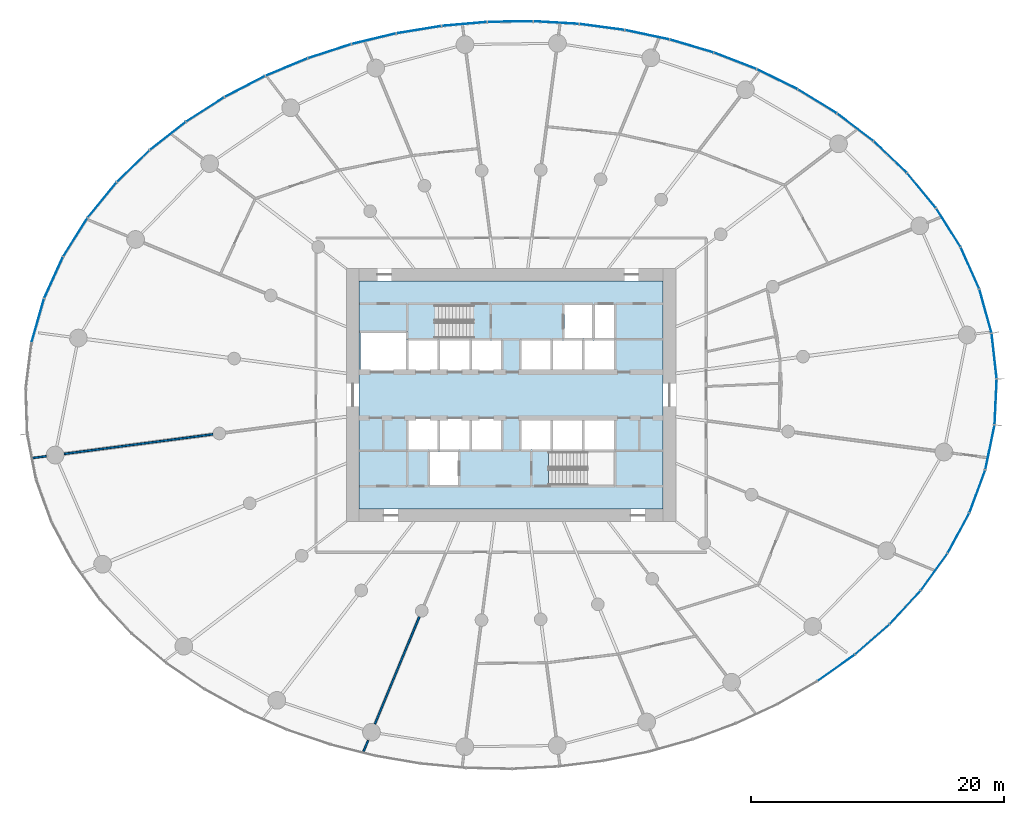
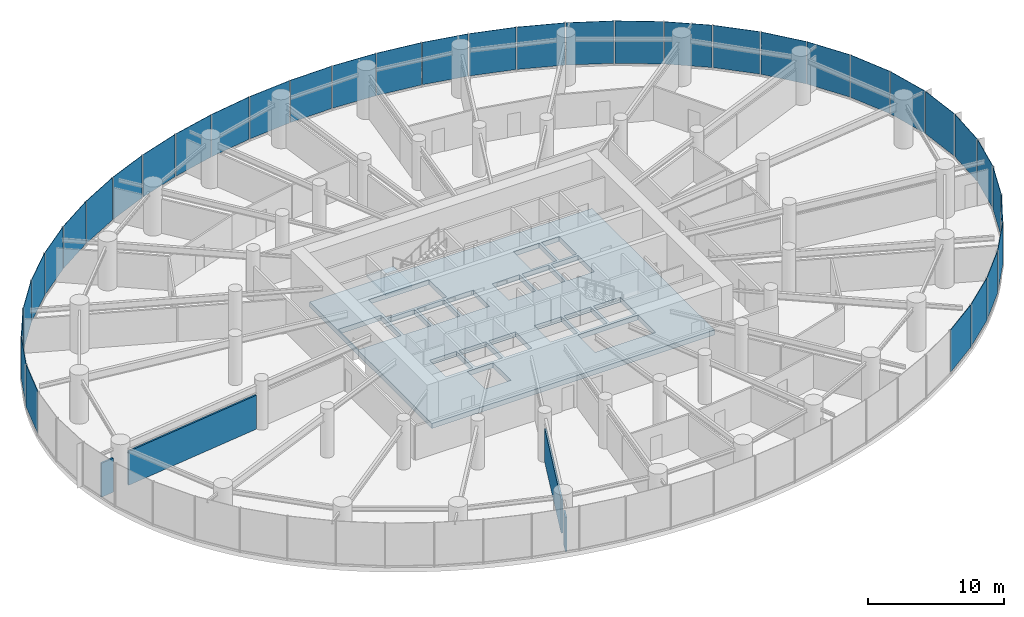
# One storey, part 11 of 19: 36 plates, 4 walls, 2 slabs, 8 elements without a shape of their own.
"""IFC4 building model written with IfcOpenShell, lengths in metres."""

from ifc_helpers import new_model, si_unit, direction, frame, frame_2d, origin, origin_2d, place, context, subcontext, project, spatial, line, indexed_curve, rectangle, outline, extrude, source, transform, mapped, material, layer, layer_set, type_object, element, aggregate, save


model = new_model("IFC4")

# Units and contexts
model_context = context("Model", 3, precision=1e-05, world=origin(), true_north=direction((0.0, 1.0)))
body_context = subcontext(model_context, "Body", "Model", "MODEL_VIEW")
ifc_project = project(units=[si_unit("LENGTHUNIT", "METRE"), si_unit("AREAUNIT", "SQUARE_METRE"), si_unit("VOLUMEUNIT", "CUBIC_METRE"), si_unit("PLANEANGLEUNIT", "RADIAN"), si_unit("MASSUNIT", "GRAM", prefix="KILO")], contexts=[model_context])

# Site, building, storey
site_placement = place(None, origin())
site = spatial("IfcSite", under=ifc_project, at=site_placement, CompositionType="ELEMENT")
building_placement = place(site_placement, origin())
building = spatial("IfcBuilding", under=site, at=building_placement, Name="Spindrift Exchange Tower", CompositionType="ELEMENT")
storey_placement = place(building_placement, frame((0.0, 0.0, 27.0)))
storey = spatial("IfcBuildingStorey", under=building, at=storey_placement, Name="L06", CompositionType="ELEMENT", Elevation=27.0)

# Slab
ifc_material_1 = material(Name="Concrete 50 MPa", Category="concrete")
ifc_layer_1 = layer(ifc_material_1, 0.449951171875)
ifc_layer_set_1 = layer_set([ifc_layer_1], Name="SL-CORE-FLOOR-450")
slab_type_1 = type_object("IfcSlabType", Name="SL-CORE-FLOOR-450", PredefinedType="FLOOR", material=ifc_layer_set_1)
slab_1_placement = place(storey_placement, frame((0.0, 0.0, -0.449951171875)))
element("IfcSlab", 1, at=slab_1_placement, inside=storey, type_object=slab_type_1, Name="L06 Core floor slab", PredefinedType="FLOOR", context=body_context, shape_type="SweptSolid", body=[
    extrude(outline(indexed_curve([(40.0, 39.0), (40.0, 57.0), (64.0, 57.0), (64.0, 39.0)], segments=[line(1, 2, 3, 4, 1)], self_intersect=False), holes=[indexed_curve([(47.800048828125, 43.5), (45.60009765625, 43.5), (45.60009765625, 40.89990234375), (47.800048828125, 40.89990234375)], segments=[line(1, 2, 3, 4, 1)], self_intersect=False), indexed_curve([(46.199951171875, 46.10009765625), (43.89990234375, 46.10009765625), (43.89990234375, 43.699951171875), (46.199951171875, 43.699951171875)], segments=[line(1, 2, 3, 4, 1)], self_intersect=False), indexed_curve([(48.699951171875, 46.10009765625), (46.39990234375, 46.10009765625), (46.39990234375, 43.699951171875), (48.699951171875, 43.699951171875)], segments=[line(1, 2, 3, 4, 1)], self_intersect=False), indexed_curve([(51.199951171875, 46.10009765625), (48.89990234375, 46.10009765625), (48.89990234375, 43.699951171875), (51.199951171875, 43.699951171875)], segments=[line(1, 2, 3, 4, 1)], self_intersect=False), indexed_curve([(46.199951171875, 52.300048828125), (43.89990234375, 52.300048828125), (43.89990234375, 49.89990234375), (46.199951171875, 49.89990234375)], segments=[line(1, 2, 3, 4, 1)], self_intersect=False), indexed_curve([(48.699951171875, 52.300048828125), (46.39990234375, 52.300048828125), (46.39990234375, 49.89990234375), (48.699951171875, 49.89990234375)], segments=[line(1, 2, 3, 4, 1)], self_intersect=False), indexed_curve([(51.199951171875, 52.300048828125), (48.89990234375, 52.300048828125), (48.89990234375, 49.89990234375), (51.199951171875, 49.89990234375)], segments=[line(1, 2, 3, 4, 1)], self_intersect=False), indexed_curve([(43.699951171875, 49.89990234375), (43.699951171875, 52.89990234375), (40.10009765625, 52.89990234375), (40.10009765625, 49.89990234375)], segments=[line(1, 2, 3, 4, 1)], self_intersect=False), indexed_curve([(49.0439453125, 55.093994140625), (43.906005859375, 55.093994140625), (43.906005859375, 52.506103515625), (49.0439453125, 52.506103515625)], segments=[line(1, 2, 3, 4, 1)], self_intersect=False), indexed_curve([(60.093994140625, 40.906005859375), (60.093994140625, 43.493896484375), (54.9560546875, 43.493896484375), (54.9560546875, 40.906005859375)], segments=[line(1, 2, 3, 4, 1)], self_intersect=False), indexed_curve([(55.10009765625, 46.10009765625), (52.800048828125, 46.10009765625), (52.800048828125, 43.699951171875), (55.10009765625, 43.699951171875)], segments=[line(1, 2, 3, 4, 1)], self_intersect=False), indexed_curve([(57.60009765625, 46.10009765625), (55.300048828125, 46.10009765625), (55.300048828125, 43.699951171875), (57.60009765625, 43.699951171875)], segments=[line(1, 2, 3, 4, 1)], self_intersect=False), indexed_curve([(60.10009765625, 46.10009765625), (57.800048828125, 46.10009765625), (57.800048828125, 43.699951171875), (60.10009765625, 43.699951171875)], segments=[line(1, 2, 3, 4, 1)], self_intersect=False), indexed_curve([(55.10009765625, 52.300048828125), (52.800048828125, 52.300048828125), (52.800048828125, 49.89990234375), (55.10009765625, 49.89990234375)], segments=[line(1, 2, 3, 4, 1)], self_intersect=False), indexed_curve([(57.60009765625, 52.300048828125), (55.300048828125, 52.300048828125), (55.300048828125, 49.89990234375), (57.60009765625, 49.89990234375)], segments=[line(1, 2, 3, 4, 1)], self_intersect=False), indexed_curve([(60.10009765625, 52.300048828125), (57.800048828125, 52.300048828125), (57.800048828125, 49.89990234375), (60.10009765625, 49.89990234375)], segments=[line(1, 2, 3, 4, 1)], self_intersect=False), indexed_curve([(58.39990234375, 52.5), (58.39990234375, 55.10009765625), (56.199951171875, 55.10009765625), (56.199951171875, 52.5)], segments=[line(1, 2, 3, 4, 1)], self_intersect=False), indexed_curve([(60.10009765625, 52.5), (60.10009765625, 55.10009765625), (58.60009765625, 55.10009765625), (58.60009765625, 52.5)], segments=[line(1, 2, 3, 4, 1)], self_intersect=False)]), origin(), (0.0, 0.0, 1.0), 0.449951171875),
])

# Stair, slab
stair_type = type_object("IfcStairType", Name="ST-1250-R183", PredefinedType="HALF_TURN_STAIR", material=ifc_material_1)
stair_placement = place(storey_placement, origin())
stair = element("IfcStair", 2, at=stair_placement, inside=storey, type_object=stair_type, Name="L06 Exit stair ST1", PredefinedType="HALF_TURN_STAIR")
ifc_layer_2 = layer(ifc_material_1, 0.199951171875)
ifc_layer_set_2 = layer_set([ifc_layer_2], Name="SL-LANDING")
slab_type_2 = type_object("IfcSlabType", Name="SL-LANDING", PredefinedType="LANDING", material=ifc_layer_set_2)
slab_2_placement = place(storey_placement, frame((0.0, 0.0, 2.0)))
slab_2 = element("IfcSlab", 3, at=slab_2_placement, type_object=slab_type_2, Name="ST1 landing 1", PredefinedType="LANDING", context=body_context, shape_type="SweptSolid", body=[
    extrude(outline(indexed_curve([(46.050048828125, 52.39990234375), (43.800048828125, 52.39990234375), (43.800048828125, 55.199951171875), (46.050048828125, 55.199951171875)], segments=[line(1, 2, 3, 4, 1)], self_intersect=False)), origin(), (0.0, 0.0, 1.0), 0.199951171875),
])
aggregate(stair, [slab_2])

# Curtain wall, plates
ifc_material_2 = material(Name="Fritted laminated glass with bronze frame", Category="glass")
ifc_layer_3 = layer(ifc_material_2, 0.199951171875)
ifc_layer_set_3 = layer_set([ifc_layer_3], Name="ZONE 1 BRONZE FRITTED WALL")
curtain_wall_type = type_object("IfcCurtainWallType", Name="ZONE 1 BRONZE FRITTED WALL", PredefinedType="NOTDEFINED", material=ifc_layer_set_3)
curtain_wall_1_placement = place(storey_placement, origin())
curtain_wall_1 = element("IfcCurtainWall", 4, at=curtain_wall_1_placement, inside=storey, type_object=curtain_wall_type, Name="L06 Zone 1 Bronze Fritted Wall run 1", PredefinedType="NOTDEFINED")
ifc_material_3 = material(Name="Bronze fritted laminated glass, dense frit", Category="glass")
ifc_layer_4 = layer(ifc_material_3, 0.035888671875)
ifc_layer_set_4 = layer_set([ifc_layer_4], Name="ZONE 1 BRONZE FRITTED WALL PANEL DENSE FRIT 420")
plate_type_1 = type_object("IfcPlateType", Name="ZONE 1 BRONZE FRITTED WALL PANEL DENSE FRIT 420", PredefinedType="CURTAIN_PANEL", material=ifc_layer_set_4)
shared_shape_1 = source(origin(), body_context, "Body", "SweptSolid", [
    extrude(rectangle(XDim=3.544189453125, YDim=0.035888671875, at=origin_2d()), origin(), (0.0, 0.0, 1.0), 3.800048828125),
])
plate_1_placement = place(storey_placement, frame((90.125, 51.068603515625, 0.14990234375), z_axis=(0.0, 0.0, 1.0), x_axis=(-0.112571974917, 0.99364357315, 0.0)))
plate_1 = element("IfcPlate", 5, at=plate_1_placement, type_object=plate_type_1, Name="L06 panel CW-1.1", PredefinedType="CURTAIN_PANEL", context=body_context, shape_type="MappedRepresentation", body=[
    mapped(shared_shape_1, transform((0.0, 0.0, 0.0), scale=1.0)),
])
shared_shape_2 = source(origin(), body_context, "Body", "SweptSolid", [
    extrude(rectangle(XDim=3.544677734375, YDim=0.035888671875, at=origin_2d()), origin(), (0.0, 0.0, 1.0), 3.800048828125),
])
plate_2_placement = place(storey_placement, frame((89.437744140625, 54.6162109375, 0.14990234375), z_axis=(0.0, 0.0, 1.0), x_axis=(-0.266622763611, 0.963800965928, 0.0)))
plate_2 = element("IfcPlate", 6, at=plate_2_placement, type_object=plate_type_1, Name="L06 panel CW-1.2", PredefinedType="CURTAIN_PANEL", context=body_context, shape_type="MappedRepresentation", body=[
    mapped(shared_shape_2, transform((0.0, 0.0, 0.0), scale=1.0)),
])
ifc_layer_5 = layer(ifc_material_3, 0.035888671875)
ifc_layer_set_5 = layer_set([ifc_layer_5], Name="ZONE 1 BRONZE FRITTED WALL PANEL DENSE FRIT 180")
plate_type_2 = type_object("IfcPlateType", Name="ZONE 1 BRONZE FRITTED WALL PANEL DENSE FRIT 180", PredefinedType="CURTAIN_PANEL", material=ifc_layer_set_5)
shared_shape_3 = source(origin(), body_context, "Body", "SweptSolid", [
    extrude(rectangle(XDim=3.544921875, YDim=0.035888671875, at=origin_2d()), origin(), (0.0, 0.0, 1.0), 3.800048828125),
])
plate_3_placement = place(storey_placement, frame((88.215087890625, 58.017578125, 0.14990234375), z_axis=(0.0, 0.0, 1.0), x_axis=(-0.408029324091, 0.912968822404, 0.0)))
plate_3 = element("IfcPlate", 7, at=plate_3_placement, type_object=plate_type_2, Name="L06 panel CW-1.3", PredefinedType="CURTAIN_PANEL", context=body_context, shape_type="MappedRepresentation", body=[
    mapped(shared_shape_3, transform((0.0, 0.0, 0.0), scale=1.0)),
])

# Curtain wall, plate
curtain_wall_2_placement = place(storey_placement, origin())
curtain_wall_2 = element("IfcCurtainWall", 8, at=curtain_wall_2_placement, inside=storey, type_object=curtain_wall_type, Name="L06 Zone 1 Bronze Fritted Wall run 5", PredefinedType="NOTDEFINED")
plate_4_placement = place(storey_placement, frame((14.63916015625, 53.883056640625, 0.14990234375), z_axis=(0.0, 0.0, 1.0), x_axis=(-0.276348632777, -0.961057455703, 0.0)))
plate_4 = element("IfcPlate", 9, at=plate_4_placement, type_object=plate_type_2, Name="L06 panel CW-1.28", PredefinedType="CURTAIN_PANEL", context=body_context, shape_type="MappedRepresentation", body=[
    mapped(shared_shape_3, transform((0.0, 0.0, 0.0), scale=1.0)),
])

# Plate
shared_shape_4 = source(origin(), body_context, "Body", "SweptSolid", [
    extrude(rectangle(XDim=3.54541015625, YDim=0.035888671875, at=origin_2d()), origin(), (0.0, 0.0, 1.0), 3.800048828125),
])
plate_5_placement = place(storey_placement, frame((86.5107421875, 61.206787109375, 0.14990234375), z_axis=(0.0, 0.0, 1.0), x_axis=(-0.53223663246, 0.84659563374, 0.0)))
plate_5 = element("IfcPlate", 10, at=plate_5_placement, type_object=plate_type_2, Name="L06 panel CW-1.4", PredefinedType="CURTAIN_PANEL", context=body_context, shape_type="MappedRepresentation", body=[
    mapped(shared_shape_4, transform((0.0, 0.0, 0.0), scale=1.0)),
])

plate_6_placement = place(storey_placement, frame((15.888916015625, 57.275634765625, 0.14990234375), z_axis=(0.0, 0.0, 1.0), x_axis=(-0.413153701948, -0.910661308373, 0.0)))
plate_6 = element("IfcPlate", 11, at=plate_6_placement, type_object=plate_type_2, Name="L06 panel CW-1.27", PredefinedType="CURTAIN_PANEL", context=body_context, shape_type="MappedRepresentation", body=[
    mapped(shared_shape_4, transform((0.0, 0.0, 0.0), scale=1.0)),
])

shared_shape_5 = source(origin(), body_context, "Body", "SweptSolid", [
    extrude(rectangle(XDim=3.5458984375, YDim=0.035888671875, at=origin_2d()), origin(), (0.0, 0.0, 1.0), 3.800048828125),
])
plate_7_placement = place(storey_placement, frame((84.389892578125, 64.13818359375, 0.14990234375), z_axis=(0.0, 0.0, 1.0), x_axis=(-0.637584007116, 0.770380836904, 0.0)))
plate_7 = element("IfcPlate", 12, at=plate_7_placement, type_object=plate_type_2, Name="L06 panel CW-1.5", PredefinedType="CURTAIN_PANEL", context=body_context, shape_type="MappedRepresentation", body=[
    mapped(shared_shape_5, transform((0.0, 0.0, 0.0), scale=1.0)),
])

plate_8_placement = place(storey_placement, frame((19.717041015625, 63.397705078125, 0.14990234375), z_axis=(0.0, 0.0, 1.0), x_axis=(-0.633610447757, -0.773652247779, 0.0)))
plate_8 = element("IfcPlate", 13, at=plate_8_placement, type_object=plate_type_2, Name="L06 panel CW-1.25", PredefinedType="CURTAIN_PANEL", context=body_context, shape_type="MappedRepresentation", body=[
    mapped(shared_shape_5, transform((0.0, 0.0, 0.0), scale=1.0)),
])

ifc_layer_6 = layer(ifc_material_3, 0.035888671875)
ifc_layer_set_6 = layer_set([ifc_layer_6], Name="ZONE 1 BRONZE FRITTED WALL PANEL DENSE FRIT 300")
plate_type_3 = type_object("IfcPlateType", Name="ZONE 1 BRONZE FRITTED WALL PANEL DENSE FRIT 300", PredefinedType="CURTAIN_PANEL", material=ifc_layer_set_6)
shared_shape_6 = source(origin(), body_context, "Body", "SweptSolid", [
    extrude(rectangle(XDim=3.54638671875, YDim=0.035888671875, at=origin_2d()), origin(), (0.0, 0.0, 1.0), 3.800048828125),
])
plate_9_placement = place(storey_placement, frame((81.919921875, 66.7841796875, 0.14990234375), z_axis=(0.0, 0.0, 1.0), x_axis=(-0.724790227118, 0.688969612301, 0.0)))
plate_9 = element("IfcPlate", 14, at=plate_9_placement, type_object=plate_type_3, Name="L06 panel CW-1.6", PredefinedType="CURTAIN_PANEL", context=body_context, shape_type="MappedRepresentation", body=[
    mapped(shared_shape_6, transform((0.0, 0.0, 0.0), scale=1.0)),
])

aggregate(curtain_wall_1, [plate_1, plate_2, plate_3, plate_5, plate_7, plate_9])

# Curtain wall, plate
curtain_wall_3_placement = place(storey_placement, origin())
curtain_wall_3 = element("IfcCurtainWall", 15, at=curtain_wall_3_placement, inside=storey, type_object=curtain_wall_type, Name="L06 Zone 1 Bronze Fritted Wall run 2", PredefinedType="NOTDEFINED")
plate_10_placement = place(storey_placement, frame((79.1630859375, 69.131591796875, 0.14990234375), z_axis=(0.0, 0.0, 1.0), x_axis=(-0.795691305188, 0.605702358299, 0.0)))
plate_10 = element("IfcPlate", 16, at=plate_10_placement, type_object=plate_type_3, Name="L06 panel CW-1.7", PredefinedType="CURTAIN_PANEL", context=body_context, shape_type="MappedRepresentation", body=[
    mapped(shared_shape_6, transform((0.0, 0.0, 0.0), scale=1.0)),
])

curtain_wall_4_placement = place(storey_placement, origin())
curtain_wall_4 = element("IfcCurtainWall", 17, at=curtain_wall_4_placement, inside=storey, type_object=curtain_wall_type, Name="L06 Zone 1 Bronze Fritted Wall run 4", PredefinedType="NOTDEFINED")
plate_11_placement = place(storey_placement, frame((22.1669921875, 66.063232421875, 0.14990234375), z_axis=(0.0, 0.0, 1.0), x_axis=(-0.717684039579, -0.696368881652, 0.0)))
plate_11 = element("IfcPlate", 18, at=plate_11_placement, type_object=plate_type_3, Name="L06 panel CW-1.24", PredefinedType="CURTAIN_PANEL", context=body_context, shape_type="MappedRepresentation", body=[
    mapped(shared_shape_6, transform((0.0, 0.0, 0.0), scale=1.0)),
])

# Plate
shared_shape_7 = source(origin(), body_context, "Body", "SweptSolid", [
    extrude(rectangle(XDim=3.546875, YDim=0.035888671875, at=origin_2d()), origin(), (0.0, 0.0, 1.0), 3.800048828125),
])
plate_12_placement = place(storey_placement, frame((76.17431640625, 71.177490234375, 0.14990234375), z_axis=(0.0, 0.0, 1.0), x_axis=(-0.852551694729, 0.522642906596, 0.0)))
plate_12 = element("IfcPlate", 19, at=plate_12_placement, type_object=plate_type_3, Name="L06 panel CW-1.8", PredefinedType="CURTAIN_PANEL", context=body_context, shape_type="MappedRepresentation", body=[
    mapped(shared_shape_7, transform((0.0, 0.0, 0.0), scale=1.0)),
])

shared_shape_8 = source(origin(), body_context, "Body", "SweptSolid", [
    extrude(rectangle(XDim=3.547119140625, YDim=0.035888671875, at=origin_2d()), origin(), (0.0, 0.0, 1.0), 3.800048828125),
])
plate_13_placement = place(storey_placement, frame((73.00048828125, 72.925048828125, 0.14990234375), z_axis=(0.0, 0.0, 1.0), x_axis=(-0.897547911927, 0.440916937524, 0.0)))
plate_13 = element("IfcPlate", 20, at=plate_13_placement, type_object=plate_type_1, Name="L06 panel CW-1.9", PredefinedType="CURTAIN_PANEL", context=body_context, shape_type="MappedRepresentation", body=[
    mapped(shared_shape_8, transform((0.0, 0.0, 0.0), scale=1.0)),
])

shared_shape_9 = source(origin(), body_context, "Body", "SweptSolid", [
    extrude(rectangle(XDim=3.547119140625, YDim=0.035888671875, at=origin_2d()), origin(), (0.0, 0.0, 1.0), 3.800048828125),
])
plate_14_placement = place(storey_placement, frame((69.681396484375, 74.379150390625, 0.14990234375), z_axis=(0.0, 0.0, 1.0), x_axis=(-0.932576665586, 0.360971969555, 0.0)))
plate_14 = element("IfcPlate", 21, at=plate_14_placement, type_object=plate_type_3, Name="L06 panel CW-1.10", PredefinedType="CURTAIN_PANEL", context=body_context, shape_type="MappedRepresentation", body=[
    mapped(shared_shape_9, transform((0.0, 0.0, 0.0), scale=1.0)),
])

plate_15_placement = place(storey_placement, frame((62.73681640625, 76.435302734375, 0.14990234375), z_axis=(0.0, 0.0, 1.0), x_axis=(-0.978407015687, 0.206687473384, 0.0)))
plate_15 = element("IfcPlate", 22, at=plate_15_placement, type_object=plate_type_3, Name="L06 panel CW-1.12", PredefinedType="CURTAIN_PANEL", context=body_context, shape_type="MappedRepresentation", body=[
    mapped(shared_shape_9, transform((0.0, 0.0, 0.0), scale=1.0)),
])

plate_16_placement = place(storey_placement, frame((34.272216796875, 73.883544921875, 0.14990234375), z_axis=(0.0, 0.0, 1.0), x_axis=(-0.923488324493, -0.383626530006, 0.0)))
plate_16 = element("IfcPlate", 23, at=plate_16_placement, type_object=plate_type_3, Name="L06 panel CW-1.20", PredefinedType="CURTAIN_PANEL", context=body_context, shape_type="MappedRepresentation", body=[
    mapped(shared_shape_9, transform((0.0, 0.0, 0.0), scale=1.0)),
])

shared_shape_10 = source(origin(), body_context, "Body", "SweptSolid", [
    extrude(rectangle(XDim=3.54736328125, YDim=0.035888671875, at=origin_2d()), origin(), (0.0, 0.0, 1.0), 3.800048828125),
])
plate_17_placement = place(storey_placement, frame((66.250732421875, 75.547119140625, 0.14990234375), z_axis=(0.0, 0.0, 1.0), x_axis=(-0.959121568585, 0.282994375694, 0.0)))
plate_17 = element("IfcPlate", 24, at=plate_17_placement, type_object=plate_type_3, Name="L06 panel CW-1.11", PredefinedType="CURTAIN_PANEL", context=body_context, shape_type="MappedRepresentation", body=[
    mapped(shared_shape_10, transform((0.0, 0.0, 0.0), scale=1.0)),
])

aggregate(curtain_wall_3, [plate_10, plate_12, plate_13, plate_14, plate_17, plate_15])

# Curtain wall, plates
curtain_wall_5_placement = place(storey_placement, origin())
curtain_wall_5 = element("IfcCurtainWall", 25, at=curtain_wall_5_placement, inside=storey, type_object=curtain_wall_type, Name="L06 Zone 1 Bronze Fritted Wall run 3", PredefinedType="NOTDEFINED")
plate_18_placement = place(storey_placement, frame((59.16455078125, 77.04931640625, 0.14990234375), z_axis=(0.0, 0.0, 1.0), x_axis=(-0.991261415823, 0.131912112789, 0.0)))
plate_18 = element("IfcPlate", 26, at=plate_18_placement, type_object=plate_type_3, Name="L06 panel CW-1.13", PredefinedType="CURTAIN_PANEL", context=body_context, shape_type="MappedRepresentation", body=[
    mapped(shared_shape_10, transform((0.0, 0.0, 0.0), scale=1.0)),
])
plate_19_placement = place(storey_placement, frame((48.3115234375, 77.28662109375, 0.14990234375), z_axis=(0.0, 0.0, 1.0), x_axis=(-0.996154586776, -0.087613008427, 0.0)))
plate_19 = element("IfcPlate", 27, at=plate_19_placement, type_object=plate_type_3, Name="L06 panel CW-1.16", PredefinedType="CURTAIN_PANEL", context=body_context, shape_type="MappedRepresentation", body=[
    mapped(shared_shape_10, transform((0.0, 0.0, 0.0), scale=1.0)),
])
plate_20_placement = place(storey_placement, frame((41.1611328125, 76.121337890625, 0.14990234375), z_axis=(0.0, 0.0, 1.0), x_axis=(-0.972256129632, -0.233918828641, 0.0)))
plate_20 = element("IfcPlate", 28, at=plate_20_placement, type_object=plate_type_3, Name="L06 panel CW-1.18", PredefinedType="CURTAIN_PANEL", context=body_context, shape_type="MappedRepresentation", body=[
    mapped(shared_shape_10, transform((0.0, 0.0, 0.0), scale=1.0)),
])

# Plate
plate_21_placement = place(storey_placement, frame((37.67236328125, 75.13818359375, 0.14990234375), z_axis=(0.0, 0.0, 1.0), x_axis=(-0.951323670752, -0.308193564936, 0.0)))
plate_21 = element("IfcPlate", 29, at=plate_21_placement, type_object=plate_type_3, Name="L06 panel CW-1.19", PredefinedType="CURTAIN_PANEL", context=body_context, shape_type="MappedRepresentation", body=[
    mapped(shared_shape_10, transform((0.0, 0.0, 0.0), scale=1.0)),
])

shared_shape_11 = source(origin(), body_context, "Body", "SweptSolid", [
    extrude(rectangle(XDim=3.54736328125, YDim=0.035888671875, at=origin_2d()), origin(), (0.0, 0.0, 1.0), 3.800048828125),
])
plate_22_placement = place(storey_placement, frame((55.555908203125, 77.39404296875, 0.14990234375), z_axis=(0.0, 0.0, 1.0), x_axis=(-0.99830687259, 0.058166898998, 0.0)))
plate_22 = element("IfcPlate", 30, at=plate_22_placement, type_object=plate_type_2, Name="L06 panel CW-1.14", PredefinedType="CURTAIN_PANEL", context=body_context, shape_type="MappedRepresentation", body=[
    mapped(shared_shape_11, transform((0.0, 0.0, 0.0), scale=1.0)),
])

shared_shape_12 = source(origin(), body_context, "Body", "SweptSolid", [
    extrude(rectangle(XDim=3.54736328125, YDim=0.035888671875, at=origin_2d()), origin(), (0.0, 0.0, 1.0), 3.800048828125),
])
plate_23_placement = place(storey_placement, frame((51.931884765625, 77.47265625, 0.14990234375), z_axis=(0.0, 0.0, 1.0), x_axis=(-0.999889180859, -0.01488710857, 0.0)))
plate_23 = element("IfcPlate", 31, at=plate_23_placement, type_object=plate_type_1, Name="L06 panel CW-1.15", PredefinedType="CURTAIN_PANEL", context=body_context, shape_type="MappedRepresentation", body=[
    mapped(shared_shape_12, transform((0.0, 0.0, 0.0), scale=1.0)),
])

plate_24_placement = place(storey_placement, frame((44.714599609375, 76.836669921875, 0.14990234375), z_axis=(0.0, 0.0, 1.0), x_axis=(-0.98703589404, -0.160499669397, 0.0)))
plate_24 = element("IfcPlate", 32, at=plate_24_placement, type_object=plate_type_1, Name="L06 panel CW-1.17", PredefinedType="CURTAIN_PANEL", context=body_context, shape_type="MappedRepresentation", body=[
    mapped(shared_shape_12, transform((0.0, 0.0, 0.0), scale=1.0)),
])

aggregate(curtain_wall_5, [plate_18, plate_22, plate_23, plate_19, plate_24, plate_20])

shared_shape_13 = source(origin(), body_context, "Body", "SweptSolid", [
    extrude(rectangle(XDim=3.547119140625, YDim=0.035888671875, at=origin_2d()), origin(), (0.0, 0.0, 1.0), 3.800048828125),
])
plate_25_placement = place(storey_placement, frame((30.987548828125, 72.352783203125, 0.14990234375), z_axis=(0.0, 0.0, 1.0), x_axis=(-0.887712553364, -0.460398113159, 0.0)))
plate_25 = element("IfcPlate", 33, at=plate_25_placement, type_object=plate_type_2, Name="L06 panel CW-1.21", PredefinedType="CURTAIN_PANEL", context=body_context, shape_type="MappedRepresentation", body=[
    mapped(shared_shape_13, transform((0.0, 0.0, 0.0), scale=1.0)),
])

shared_shape_14 = source(origin(), body_context, "Body", "SweptSolid", [
    extrude(rectangle(XDim=3.546875, YDim=0.035888671875, at=origin_2d()), origin(), (0.0, 0.0, 1.0), 3.800048828125),
])
plate_26_placement = place(storey_placement, frame((27.849609375, 70.541259765625, 0.14990234375), z_axis=(0.0, 0.0, 1.0), x_axis=(-0.842655448938, -0.538453149657, 0.0)))
plate_26 = element("IfcPlate", 34, at=plate_26_placement, type_object=plate_type_1, Name="L06 panel CW-1.22", PredefinedType="CURTAIN_PANEL", context=body_context, shape_type="MappedRepresentation", body=[
    mapped(shared_shape_14, transform((0.0, 0.0, 0.0), scale=1.0)),
])

# Curtain wall, plate
curtain_wall_6_placement = place(storey_placement, origin())
curtain_wall_6 = element("IfcCurtainWall", 35, at=curtain_wall_6_placement, inside=storey, type_object=curtain_wall_type, Name="L06 Zone 1 Bronze Fritted Wall run 9", PredefinedType="NOTDEFINED")
plate_27_placement = place(storey_placement, frame((77.6533203125, 26.470703125, 0.14990234375), z_axis=(0.0, 0.0, 1.0), x_axis=(0.816149692523, 0.577840531111, 0.0)))
plate_27 = element("IfcPlate", 36, at=plate_27_placement, type_object=plate_type_1, Name="L06 panel CW-1.52", PredefinedType="CURTAIN_PANEL", context=body_context, shape_type="MappedRepresentation", body=[
    mapped(shared_shape_14, transform((0.0, 0.0, 0.0), scale=1.0)),
])

# Plate
shared_shape_15 = source(origin(), body_context, "Body", "SweptSolid", [
    extrude(rectangle(XDim=3.546630859375, YDim=0.035888671875, at=origin_2d()), origin(), (0.0, 0.0, 1.0), 3.800048828125),
])
plate_28_placement = place(storey_placement, frame((24.89501953125, 68.4453125, 0.14990234375), z_axis=(0.0, 0.0, 1.0), x_axis=(-0.786659249146, -0.617387419481, 0.0)))
plate_28 = element("IfcPlate", 37, at=plate_28_placement, type_object=plate_type_2, Name="L06 panel CW-1.23", PredefinedType="CURTAIN_PANEL", context=body_context, shape_type="MappedRepresentation", body=[
    mapped(shared_shape_15, transform((0.0, 0.0, 0.0), scale=1.0)),
])

aggregate(curtain_wall_4, [plate_21, plate_16, plate_25, plate_26, plate_28, plate_11])

plate_29_placement = place(storey_placement, frame((80.500244140625, 28.7099609375, 0.14990234375), z_axis=(0.0, 0.0, 1.0), x_axis=(0.753906343214, 0.656981906647, 0.0)))
plate_29 = element("IfcPlate", 38, at=plate_29_placement, type_object=plate_type_2, Name="L06 panel CW-1.53", PredefinedType="CURTAIN_PANEL", context=body_context, shape_type="MappedRepresentation", body=[
    mapped(shared_shape_15, transform((0.0, 0.0, 0.0), scale=1.0)),
])

shared_shape_16 = source(origin(), body_context, "Body", "SweptSolid", [
    extrude(rectangle(XDim=3.545654296875, YDim=0.035888671875, at=origin_2d()), origin(), (0.0, 0.0, 1.0), 3.800048828125),
])
plate_30_placement = place(storey_placement, frame((17.60302734375, 60.460693359375, 0.14990234375), z_axis=(0.0, 0.0, 1.0), x_axis=(-0.532483367066, -0.846440466777, 0.0)))
plate_30 = element("IfcPlate", 39, at=plate_30_placement, type_object=plate_type_2, Name="L06 panel CW-1.26", PredefinedType="CURTAIN_PANEL", context=body_context, shape_type="MappedRepresentation", body=[
    mapped(shared_shape_16, transform((0.0, 0.0, 0.0), scale=1.0)),
])

aggregate(curtain_wall_2, [plate_8, plate_30, plate_6, plate_4])

# Curtain wall, plates
curtain_wall_7_placement = place(storey_placement, origin())
curtain_wall_7 = element("IfcCurtainWall", 40, at=curtain_wall_7_placement, inside=storey, type_object=curtain_wall_type, Name="L06 Zone 1 Bronze Fritted Wall run 10", PredefinedType="NOTDEFINED")
shared_shape_17 = source(origin(), body_context, "Body", "SweptSolid", [
    extrude(rectangle(XDim=3.54443359375, YDim=0.035888671875, at=origin_2d()), origin(), (0.0, 0.0, 1.0), 3.800048828125),
])
plate_31_placement = place(storey_placement, frame((90.244384765625, 47.457763671875, 0.14990234375), z_axis=(0.0, 0.0, 1.0), x_axis=(0.04662701258, 0.998912369379, 0.0)))
plate_31 = element("IfcPlate", 41, at=plate_31_placement, type_object=plate_type_3, Name="L06 panel CW-1.59", PredefinedType="CURTAIN_PANEL", context=body_context, shape_type="MappedRepresentation", body=[
    mapped(shared_shape_17, transform((0.0, 0.0, 0.0), scale=1.0)),
])
shared_shape_18 = source(origin(), body_context, "Body", "SweptSolid", [
    extrude(rectangle(XDim=3.544921875, YDim=0.035888671875, at=origin_2d()), origin(), (0.0, 0.0, 1.0), 3.800048828125),
])
plate_32_placement = place(storey_placement, frame((88.798095703125, 40.39794921875, 0.14990234375), z_axis=(0.0, 0.0, 1.0), x_axis=(0.346814516231, 0.937933735043, 0.0)))
plate_32 = element("IfcPlate", 42, at=plate_32_placement, type_object=plate_type_1, Name="L06 panel CW-1.57", PredefinedType="CURTAIN_PANEL", context=body_context, shape_type="MappedRepresentation", body=[
    mapped(shared_shape_18, transform((0.0, 0.0, 0.0), scale=1.0)),
])

# Plate
shared_shape_19 = source(origin(), body_context, "Body", "SweptSolid", [
    extrude(rectangle(XDim=3.546142578125, YDim=0.035888671875, at=origin_2d()), origin(), (0.0, 0.0, 1.0), 3.800048828125),
])
plate_33_placement = place(storey_placement, frame((83.09619140625, 31.234619140625, 0.14990234375), z_axis=(0.0, 0.0, 1.0), x_axis=(0.677673390388, 0.735363023248, 0.0)))
plate_33 = element("IfcPlate", 43, at=plate_33_placement, type_object=plate_type_3, Name="L06 panel CW-1.54", PredefinedType="CURTAIN_PANEL", context=body_context, shape_type="MappedRepresentation", body=[
    mapped(shared_shape_19, transform((0.0, 0.0, 0.0), scale=1.0)),
])

aggregate(curtain_wall_6, [plate_27, plate_29, plate_33])

shared_shape_20 = source(origin(), body_context, "Body", "SweptSolid", [
    extrude(rectangle(XDim=3.5458984375, YDim=0.035888671875, at=origin_2d()), origin(), (0.0, 0.0, 1.0), 3.800048828125),
])
plate_34_placement = place(storey_placement, frame((85.385986328125, 34.037841796875, 0.14990234375), z_axis=(0.0, 0.0, 1.0), x_axis=(0.585267642826, 0.810840173068, 0.0)))
plate_34 = element("IfcPlate", 44, at=plate_34_placement, type_object=plate_type_3, Name="L06 panel CW-1.55", PredefinedType="CURTAIN_PANEL", context=body_context, shape_type="MappedRepresentation", body=[
    mapped(shared_shape_20, transform((0.0, 0.0, 0.0), scale=1.0)),
])

shared_shape_21 = source(origin(), body_context, "Body", "SweptSolid", [
    extrude(rectangle(XDim=3.54541015625, YDim=0.035888671875, at=origin_2d()), origin(), (0.0, 0.0, 1.0), 3.800048828125),
])
plate_35_placement = place(storey_placement, frame((87.30810546875, 37.102783203125, 0.14990234375), z_axis=(0.0, 0.0, 1.0), x_axis=(0.475115953247, 0.879923196063, 0.0)))
plate_35 = element("IfcPlate", 45, at=plate_35_placement, type_object=plate_type_3, Name="L06 panel CW-1.56", PredefinedType="CURTAIN_PANEL", context=body_context, shape_type="MappedRepresentation", body=[
    mapped(shared_shape_21, transform((0.0, 0.0, 0.0), scale=1.0)),
])

shared_shape_22 = source(origin(), body_context, "Body", "SweptSolid", [
    extrude(rectangle(XDim=3.544677734375, YDim=0.035888671875, at=origin_2d()), origin(), (0.0, 0.0, 1.0), 3.800048828125),
])
plate_36_placement = place(storey_placement, frame((89.793212890625, 43.872802734375, 0.14990234375), z_axis=(0.0, 0.0, 1.0), x_axis=(0.20234120805, 0.979315084906, 0.0)))
plate_36 = element("IfcPlate", 46, at=plate_36_placement, type_object=plate_type_3, Name="L06 panel CW-1.58", PredefinedType="CURTAIN_PANEL", context=body_context, shape_type="MappedRepresentation", body=[
    mapped(shared_shape_22, transform((0.0, 0.0, 0.0), scale=1.0)),
])

aggregate(curtain_wall_7, [plate_34, plate_35, plate_32, plate_36, plate_31])

# Walls
ifc_material_4 = material(Name="Fire-rated plasterboard partition", Category="gypsum")
ifc_layer_7 = layer(ifc_material_4, 0.139892578125)
ifc_layer_set_7 = layer_set([ifc_layer_7], Name="W-PLANT-140")
wall_type = type_object("IfcWallType", Name="W-PLANT-140", PredefinedType="PARTITIONING", material=ifc_layer_set_7)
wall_1_placement = place(storey_placement, frame((28.466064453125, 44.901611328125, 0.0), z_axis=(0.0, 0.0, 1.0), x_axis=(-0.991446586451, -0.130513088287, 0.0)))
element("IfcWall", 47, at=wall_1_placement, inside=storey, type_object=wall_type, Name="L06 Partition wall 65", PredefinedType="PARTITIONING", context=body_context, shape_type="SweptSolid", body=[
    extrude(rectangle(XDim=11.85986328125, YDim=0.139892578125, at=frame_2d((5.929931640625, 0.0))), origin(), (0.0, 0.0, 1.0), 3.050048828125),
])
wall_2_placement = place(storey_placement, frame((44.752197265625, 30.502197265625, 0.0), z_axis=(0.0, 0.0, 1.0), x_axis=(-0.382672728165, -0.923883966264, 0.0)))
element("IfcWall", 48, at=wall_2_placement, inside=storey, type_object=wall_type, Name="L06 Partition wall 67", PredefinedType="PARTITIONING", context=body_context, shape_type="SweptSolid", body=[
    extrude(rectangle(XDim=9.15966796875, YDim=0.139892578125, at=frame_2d((4.579833984375, 0.0))), origin(), (0.0, 0.0, 1.0), 3.050048828125),
])
wall_3_placement = place(storey_placement, frame((15.311279296875, 43.169921875, 0.0), z_axis=(0.0, 0.0, 1.0), x_axis=(-0.991442282273, -0.13054578094, 0.0)))
element("IfcWall", 49, at=wall_3_placement, inside=storey, type_object=wall_type, Name="L06 Partition wall 132", PredefinedType="PARTITIONING", context=body_context, shape_type="SweptSolid", body=[
    extrude(rectangle(XDim=1.107177734375, YDim=0.139892578125, at=frame_2d((0.5537109375, 0.0))), origin(), (0.0, 0.0, 1.0), 3.050048828125),
])
wall_4_placement = place(storey_placement, frame((40.70751953125, 20.7373046875, 0.0), z_axis=(0.0, 0.0, 1.0), x_axis=(-0.382814514464, -0.923825225633, 0.0)))
element("IfcWall", 50, at=wall_4_placement, inside=storey, type_object=wall_type, Name="L06 Partition wall 135", PredefinedType="PARTITIONING", context=body_context, shape_type="SweptSolid", body=[
    extrude(rectangle(XDim=0.962890625, YDim=0.139892578125, at=frame_2d((0.4814453125, 0.0))), origin(), (0.0, 0.0, 1.0), 3.050048828125),
])

save(model, "model.ifc")
